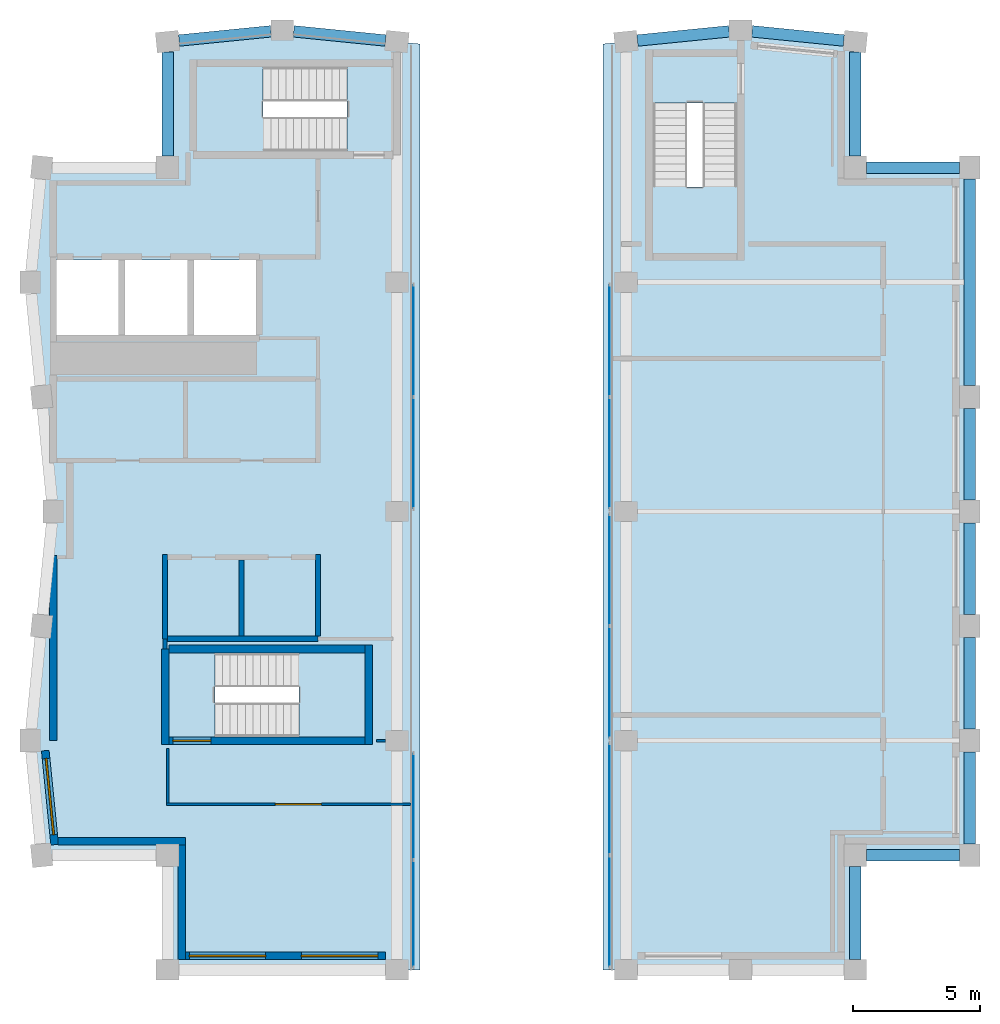
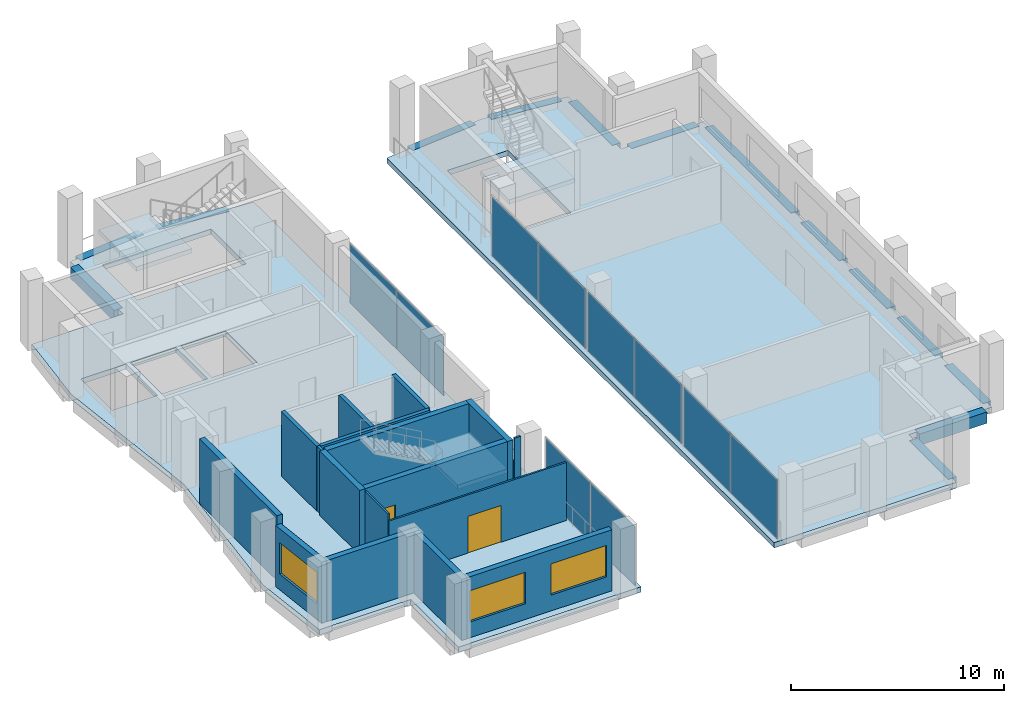
# One storey, part 6 of 9: 17 walls, 14 beams, 10 plates, 5 slabs, 3 windows, 2 doors, 5 openings, 8 elements without a shape of their own.
"""IFC4 building model written with IfcOpenShell, lengths in metres."""

import ifcopenshell
import ifcopenshell.guid

model = None  # the IFC model being written
_history = None  # IfcOwnerHistory: only IFC2X3 demands one
_inside = {}  # id of a spatial element -> (the spatial element, [elements in it])
_under = {}  # id of a project, library or spatial element -> (it, [spatial elements below it])
_declared = {}  # id of a project -> (the project, [libraries it declares])
_typed = {}  # id of a type object -> (the type object, [elements of that type])
_made_of = {}  # id of a material, layer set ... -> (it, [elements and type objects made of it])


def new_model(schema):
    """Start an empty IFC model of exactly this schema.

    Asked for "IFC4X3", IfcOpenShell would pick the latest addendum, in which some entities
    have other attributes; the version numbers below select the first issue.
    IFC2X3 requires an IfcOwnerHistory on every rooted entity: one is made here for all.
    """
    global model, _history
    if schema == "IFC4X3":
        model = ifcopenshell.file(schema_version=(4, 3, 0, 0))
    else:
        model = ifcopenshell.file(schema=schema)
    _inside.clear()
    _under.clear()
    _declared.clear()
    _typed.clear()
    _made_of.clear()
    _history = None
    if model.schema == "IFC2X3":
        org = make("IfcOrganization", Name="unknown")
        user = make(
            "IfcPersonAndOrganization",
            ThePerson=make("IfcPerson", FamilyName="unknown"),
            TheOrganization=org,
        )
        app = make(
            "IfcApplication",
            ApplicationDeveloper=org,
            Version="unknown",
            ApplicationFullName="unknown",
            ApplicationIdentifier="unknown",
        )
        _history = make(
            "IfcOwnerHistory",
            OwningUser=user,
            OwningApplication=app,
            ChangeAction="ADDED",
            CreationDate=0,
        )
    return model


def make(cls, **values):
    """One entity of the class cls with the attributes given. An attribute that is None is left unset."""
    return model.create_entity(
        cls, **{name: value for name, value in values.items() if value is not None}
    )


def rooted(cls, **values):
    """An entity with a GlobalId (a new one), such as an element, a storey or a relation."""
    return make(cls, GlobalId=ifcopenshell.guid.new(), OwnerHistory=_history, **values)


def si_unit(unit_type, name, prefix=None):
    """IfcSIUnit, for example si_unit("LENGTHUNIT", "METRE", prefix="MILLI")."""
    return make("IfcSIUnit", UnitType=unit_type, Prefix=prefix, Name=name)


def assignment(units):
    """IfcUnitAssignment: the units of a project."""
    return None if units is None else make("IfcUnitAssignment", Units=units)


def point(xyz):
    """IfcCartesianPoint."""
    return None if xyz is None else make("IfcCartesianPoint", Coordinates=xyz)


def direction(xyz):
    """IfcDirection."""
    return None if xyz is None else make("IfcDirection", DirectionRatios=xyz)


def frame(location, z_axis=None, x_axis=None):
    """IfcAxis2Placement3D, a coordinate frame: its origin and axes. An axis left out is left unset."""
    return make(
        "IfcAxis2Placement3D",
        Location=point(location),
        Axis=direction(z_axis),
        RefDirection=direction(x_axis),
    )


def frame_2d(location, x_axis=None):
    """IfcAxis2Placement2D, a coordinate frame in the plane: its origin and x axis."""
    return make(
        "IfcAxis2Placement2D", Location=point(location), RefDirection=direction(x_axis)
    )


def origin():
    """The frame at (0, 0, 0) with its axes left unset."""
    return frame((0.0, 0.0, 0.0))


def origin_2d():
    """The frame at (0, 0) in the plane with its x axis left unset."""
    return frame_2d((0.0, 0.0))


def place(relative_to, where):
    """IfcLocalPlacement: puts the frame where relative to a parent placement (None: the world)."""
    return make(
        "IfcLocalPlacement", PlacementRelTo=relative_to, RelativePlacement=where
    )


def context(
    kind, dimensions, precision=None, world=None, true_north=None, identifier=None
):
    """IfcGeometricRepresentationContext, for example the 3D "Model" context."""
    return make(
        "IfcGeometricRepresentationContext",
        ContextIdentifier=identifier,
        ContextType=kind,
        CoordinateSpaceDimension=dimensions,
        Precision=precision,
        WorldCoordinateSystem=world,
        TrueNorth=true_north,
    )


def subcontext(parent, identifier, kind, view, scale=None):
    """IfcGeometricRepresentationSubContext, for example "Body" below "Model"."""
    return make(
        "IfcGeometricRepresentationSubContext",
        ContextIdentifier=identifier,
        ContextType=kind,
        ParentContext=parent,
        TargetScale=scale,
        TargetView=view,
    )


def project(units=None, contexts=None):
    """IfcProject with its units and contexts."""
    return rooted(
        "IfcProject",
        Name="project",
        RepresentationContexts=contexts,
        UnitsInContext=assignment(units),
    )


def spatial(cls, under=None, at=None, **own):
    """A site, building, storey or space (cls), placed at a placement, below another one or the project."""
    s = rooted(cls, ObjectPlacement=at, **own)
    if under is not None:
        _under.setdefault(under.id(), (under, []))[1].append(s)
    return s


def polyline(points):
    """IfcPolyline through the points."""
    return make("IfcPolyline", Points=[point(p) for p in points])


def profile(cls, at=None, kind="AREA", **sizes):
    """A parametric profile (cls). Its sizes go by their IFC names, for example OverallWidth=200.0."""
    return make(cls, ProfileType=kind, Position=at, **sizes)


def rectangle(**sizes):
    """IfcRectangleProfileDef."""
    return profile("IfcRectangleProfileDef", **sizes)


def outline(outer, holes=None, kind="AREA"):
    """IfcArbitraryClosedProfileDef: a profile drawn as a closed curve; with holes, ...WithVoids."""
    if holes is None:
        return make("IfcArbitraryClosedProfileDef", ProfileType=kind, OuterCurve=outer)
    return make(
        "IfcArbitraryProfileDefWithVoids",
        ProfileType=kind,
        OuterCurve=outer,
        InnerCurves=holes,
    )


def extrude(swept, where, along, depth):
    """IfcExtrudedAreaSolid: the profile swept, set in the frame where, extruded along a direction by depth."""
    return make(
        "IfcExtrudedAreaSolid",
        SweptArea=swept,
        Position=where,
        ExtrudedDirection=direction(along),
        Depth=depth,
    )


def shape(context_of_items, identifier, shape_type, items):
    """IfcShapeRepresentation: the items that make up one representation, for example the "Body"."""
    return make(
        "IfcShapeRepresentation",
        ContextOfItems=context_of_items,
        RepresentationIdentifier=identifier,
        RepresentationType=shape_type,
        Items=items,
    )


def material(Name=None, Category=None):
    """IfcMaterial."""
    return make("IfcMaterial", Name=Name, Category=Category)


def layer(
    of_material, thickness, ventilated=None, Name=None, Category=None, Priority=None
):
    """IfcMaterialLayer: one layer of a wall or slab, of a material (None: an air gap)."""
    return make(
        "IfcMaterialLayer",
        Material=of_material,
        LayerThickness=thickness,
        IsVentilated=ventilated,
        Name=Name,
        Category=Category,
        Priority=Priority,
    )


def layer_set(layers, Name=None):
    """IfcMaterialLayerSet."""
    return make("IfcMaterialLayerSet", MaterialLayers=layers, LayerSetName=Name)


def material_profile(
    of_material, cross_section, Name=None, Category=None, Priority=None
):
    """IfcMaterialProfile: a cross section and its material."""
    return make(
        "IfcMaterialProfile",
        Name=Name,
        Material=of_material,
        Profile=cross_section,
        Priority=Priority,
        Category=Category,
    )


def profile_set(profiles, Name=None, composite=None):
    """IfcMaterialProfileSet."""
    return make(
        "IfcMaterialProfileSet",
        Name=Name,
        MaterialProfiles=profiles,
        CompositeProfile=composite,
    )


def made_of(thing, what):
    """Note that an element or type object is made of a material, layer set ...; save() writes the relation."""
    if what is not None:
        _made_of.setdefault(what.id(), (what, []))[1].append(thing)
    return thing


def type_object(cls, material=None, **own):
    """A type object (cls), such as IfcWallType, which elements share."""
    return made_of(rooted(cls, **own), material)


def element(
    cls,
    number,
    at=None,
    inside=None,
    cuts=None,
    type_object=None,
    material=None,
    context=None,
    identifier="Body",
    shape_type=None,
    held_by="IfcProductDefinitionShape",
    body=None,
    shapes=None,
    **own,
):
    """One element of the class cls, such as IfcWall. Its Tag is "e" and its number.

    at: its placement. inside: the storey or other place that contains it. cuts: it is an
    opening in that element (IfcRelVoidsElement). A single representation is given by context,
    identifier, shape_type and body (its items); several are given by shapes. held_by: the class
    of the entity that holds the representations. save() writes the other relations.
    """
    e = rooted(cls, Tag="e%d" % number, ObjectPlacement=at, **own)
    if body is not None:
        shapes = [shape(context, identifier, shape_type, body)]
    if shapes is not None:
        e.Representation = make(held_by, Representations=shapes)
    if inside is not None:
        _inside.setdefault(inside.id(), (inside, []))[1].append(e)
    if cuts is not None:
        rooted(
            "IfcRelVoidsElement", RelatingBuildingElement=cuts, RelatedOpeningElement=e
        )
    if type_object is not None:
        _typed.setdefault(type_object.id(), (type_object, []))[1].append(e)
    return made_of(e, material)


def fill(opening, filler):
    """IfcRelFillsElement: the door or window that sits in an opening."""
    return rooted(
        "IfcRelFillsElement",
        RelatingOpeningElement=opening,
        RelatedBuildingElement=filler,
    )


def aggregate(whole, parts):
    """IfcRelAggregates: a whole, such as a stair, and the parts it consists of."""
    return rooted("IfcRelAggregates", RelatingObject=whole, RelatedObjects=parts)


def save(model, path):
    """Write the relations noted so far, then the file.

    IfcRelAggregates (storeys below a building ...), IfcRelContainedInSpatialStructure (elements
    in a storey), IfcRelDefinesByType, IfcRelAssociatesMaterial and IfcRelDeclares: one each for
    every whole, place, type object, material and project.
    """
    for whole, parts in _under.values():
        aggregate(whole, parts)
    for where, things in _inside.values():
        rooted(
            "IfcRelContainedInSpatialStructure",
            RelatedElements=things,
            RelatingStructure=where,
        )
    for kind, things in _typed.values():
        rooted("IfcRelDefinesByType", RelatedObjects=things, RelatingType=kind)
    for what, things in _made_of.values():
        rooted("IfcRelAssociatesMaterial", RelatedObjects=things, RelatingMaterial=what)
    for by, libraries in _declared.values():
        rooted("IfcRelDeclares", RelatingContext=by, RelatedDefinitions=libraries)
    model.write(path)


model = new_model("IFC4")

# Units and contexts
model_context = context("Model", 3, precision=1e-05, world=origin(), true_north=direction((0.0, 1.0)))
body_context = subcontext(model_context, "Body", "Model", "MODEL_VIEW")
ifc_project = project(units=[si_unit("LENGTHUNIT", "METRE"), si_unit("AREAUNIT", "SQUARE_METRE"), si_unit("VOLUMEUNIT", "CUBIC_METRE"), si_unit("PLANEANGLEUNIT", "RADIAN"), si_unit("MASSUNIT", "GRAM", prefix="KILO")], contexts=[model_context])

# Site, building, storey
site_placement = place(None, origin())
site = spatial("IfcSite", under=ifc_project, at=site_placement, CompositionType="ELEMENT")
building_placement = place(site_placement, origin())
building = spatial("IfcBuilding", under=site, at=building_placement, Name="Brondeck Convention Tower", CompositionType="ELEMENT")
storey_placement = place(building_placement, frame((0.0, 0.0, 286.800048828125)))
storey = spatial("IfcBuildingStorey", under=building, at=storey_placement, Name="L71", CompositionType="ELEMENT", Elevation=286.800048828125)

# Beams
ifc_material_1 = material(Name="Concrete C50/60", Category="concrete")
ifc_material_profile = material_profile(ifc_material_1, rectangle(XDim=0.449951171875, YDim=0.64990234375, at=origin_2d()), Name="Precast spandrel 450x650 Concrete C50/60")
ifc_profile_set = profile_set([ifc_material_profile], Name="Concrete C50/60")
beam_type = type_object("IfcBeamType", Name="Precast spandrel 450x650 Concrete C50/60", PredefinedType="SPANDREL", material=ifc_profile_set)
for number, where, z_axis, x_axis, name in (
    (1, (13.05224609375, 63.494873046875, -0.324951171875), (-0.995040528141, 0.099470334057, 0.0), (-0.099470334057, -0.995040528141, 0.0), "STR-SP-L71K1-006"),
    (2, (8.550048828125, 63.85498046875, -0.324951171875), (-0.995040528141, -0.099470334057, 0.0), (0.099470334057, -0.995040528141, 0.0), "STR-SP-L71K1-007"),
):
    element("IfcBeam", number, at=place(storey_placement, frame(where, z_axis=z_axis, x_axis=x_axis)), inside=storey, type_object=beam_type, Name=name, PredefinedType="SPANDREL", context=body_context, shape_type="SweptSolid", body=[
        extrude(rectangle(XDim=0.449951171875, YDim=0.64990234375, at=origin_2d()), origin(), (0.0, 0.0, 1.0), 3.620361328125),
    ])
beam_1_placement = place(storey_placement, frame((4.5, 63.048095703125, -0.324951171875), z_axis=(0.0, -1.0, 0.0), x_axis=(1.0, 0.0, 0.0)))
element("IfcBeam", 3, at=beam_1_placement, inside=storey, type_object=beam_type, Name="STR-SP-L71K1-008", PredefinedType="SPANDREL", context=body_context, shape_type="SweptSolid", body=[
    extrude(rectangle(XDim=0.449951171875, YDim=0.64990234375, at=origin_2d()), origin(), (0.0, 0.0, 1.0), 4.09814453125),
])
for number, where, z_axis, x_axis, name in (
    (4, (31.5, 27.39990234375, -0.324951171875), (0.0, 1.0, 0.0), (-1.0, 0.0, 0.0), "STR-SP-L71K2-003"),
    (5, (31.949951171875, 31.5, -0.324951171875), (1.0, 0.0, 0.0), (0.0, 1.0, 0.0), "STR-SP-L71K2-004"),
):
    element("IfcBeam", number, at=place(storey_placement, frame(where, z_axis=z_axis, x_axis=x_axis)), inside=storey, type_object=beam_type, Name=name, PredefinedType="SPANDREL", context=body_context, shape_type="SweptSolid", body=[
        extrude(rectangle(XDim=0.449951171875, YDim=0.64990234375, at=origin_2d()), origin(), (0.0, 0.0, 1.0), 3.650146484375),
    ])
for number, where, z_axis, x_axis, name in (
    (6, (36.0, 31.949951171875, -0.324951171875), (0.0, 1.0, 0.0), (-1.0, 0.0, 0.0), "STR-SP-L71K2-005"),
    (7, (36.0, 36.449951171875, -0.324951171875), (0.0, 1.0, 0.0), (-1.0, 0.0, 0.0), "STR-SP-L71K2-006"),
    (8, (36.0, 40.949951171875, -0.324951171875), (0.0, 1.0, 0.0), (-1.0, 0.0, 0.0), "STR-SP-L71K2-007"),
    (9, (36.0, 45.449951171875, -0.324951171875), (0.0, 1.0, 0.0), (-1.0, 0.0, 0.0), "STR-SP-L71K2-008"),
):
    element("IfcBeam", number, at=place(storey_placement, frame(where, z_axis=z_axis, x_axis=x_axis)), inside=storey, type_object=beam_type, Name=name, PredefinedType="SPANDREL", context=body_context, shape_type="SweptSolid", body=[
        extrude(rectangle(XDim=0.449951171875, YDim=0.64990234375, at=origin_2d()), origin(), (0.0, 0.0, 1.0), 3.60009765625),
    ])
beam_2_placement = place(storey_placement, frame((36.0, 49.949951171875, -0.324951171875), z_axis=(0.0, 1.0, 0.0), x_axis=(-1.0, 0.0, 0.0)))
element("IfcBeam", 10, at=beam_2_placement, inside=storey, type_object=beam_type, Name="STR-SP-L71K2-009", PredefinedType="SPANDREL", context=body_context, shape_type="SweptSolid", body=[
    extrude(rectangle(XDim=0.449951171875, YDim=0.64990234375, at=origin_2d()), origin(), (0.0, 0.0, 1.0), 8.10009765625),
])
beam_3_placement = place(storey_placement, frame((35.60009765625, 58.5, -0.324951171875), z_axis=(-1.0, 0.0, 0.0), x_axis=(0.0, -1.0, 0.0)))
element("IfcBeam", 11, at=beam_3_placement, inside=storey, type_object=beam_type, Name="STR-SP-L71K2-010", PredefinedType="SPANDREL", context=body_context, shape_type="SweptSolid", body=[
    extrude(rectangle(XDim=0.449951171875, YDim=0.64990234375, at=origin_2d()), origin(), (0.0, 0.0, 1.0), 3.650146484375),
])
beam_4_placement = place(storey_placement, frame((31.5, 58.949951171875, -0.324951171875), z_axis=(0.0, 1.0, 0.0), x_axis=(-1.0, 0.0, 0.0)))
element("IfcBeam", 12, at=beam_4_placement, inside=storey, type_object=beam_type, Name="STR-SP-L71K2-011", PredefinedType="SPANDREL", context=body_context, shape_type="SweptSolid", body=[
    extrude(rectangle(XDim=0.449951171875, YDim=0.64990234375, at=origin_2d()), origin(), (0.0, 0.0, 1.0), 4.09814453125),
])
for number, where, z_axis, x_axis, name in (
    (13, (31.05224609375, 63.494873046875, -0.324951171875), (-0.995040528141, 0.099470334057, 0.0), (-0.099470334057, -0.995040528141, 0.0), "STR-SP-L71K2-012"),
    (14, (26.550048828125, 63.85498046875, -0.324951171875), (-0.995040528141, -0.099470334057, 0.0), (0.099470334057, -0.995040528141, 0.0), "STR-SP-L71K2-013"),
):
    element("IfcBeam", number, at=place(storey_placement, frame(where, z_axis=z_axis, x_axis=x_axis)), inside=storey, type_object=beam_type, Name=name, PredefinedType="SPANDREL", context=body_context, shape_type="SweptSolid", body=[
        extrude(rectangle(XDim=0.449951171875, YDim=0.64990234375, at=origin_2d()), origin(), (0.0, 0.0, 1.0), 3.620361328125),
    ])

# Curtain wall, plates
ifc_material_2 = material(Name="Aluminium, bronze anodised", Category="aluminium")
curtain_wall_type = type_object("IfcCurtainWallType", Name="Crown screen curtain wall", PredefinedType="NOTDEFINED", material=ifc_material_2)
curtain_wall_1_placement = place(storey_placement, origin())
curtain_wall_1 = element("IfcCurtainWall", 15, at=curtain_wall_1_placement, inside=storey, type_object=curtain_wall_type, Name="ENV-CW4-L71-K1-SLOT-W-00-2", PredefinedType="NOTDEFINED")
ifc_material_3 = material(Name="Bronze tinted laminated glass", Category="glass")
ifc_layer_1 = layer(ifc_material_3, 0.007080078125, Name="Outer pane")
ifc_material_4 = material(Name="Argon-filled cavity")
ifc_layer_2 = layer(ifc_material_4, 0.011962890625, Name="Cavity")
ifc_material_5 = material(Name="Clear low-emissivity glass", Category="glass")
ifc_layer_3 = layer(ifc_material_5, 0.007080078125, Name="Inner pane")
ifc_layer_set_1 = layer_set([ifc_layer_1, ifc_layer_2, ifc_layer_3], Name="CW4 glazing panel")
plate_type = type_object("IfcPlateType", Name="CW4 glazing panel", PredefinedType="CURTAIN_PANEL", material=ifc_layer_set_1)
plate_1_placement = place(storey_placement, frame((14.14990234375, 33.41259765625, 0.06005859375), z_axis=(0.0, 0.0, 1.0), x_axis=(0.0, -1.0, 0.0)))
plate_1 = element("IfcPlate", 16, at=plate_1_placement, type_object=plate_type, Name="CW4 panel 1.1", PredefinedType="CURTAIN_PANEL", context=body_context, shape_type="SweptSolid", body=[
    extrude(rectangle(XDim=4.155029296875, YDim=0.02587890625, at=origin_2d()), origin(), (0.0, 0.0, 1.0), 3.3798828125),
])
plate_2_placement = place(storey_placement, frame((14.14990234375, 29.197509765625, 0.06005859375), z_axis=(0.0, 0.0, 1.0), x_axis=(0.0, -1.0, 0.0)))
plate_2 = element("IfcPlate", 17, at=plate_2_placement, type_object=plate_type, Name="CW4 panel 2.1", PredefinedType="CURTAIN_PANEL", context=body_context, shape_type="SweptSolid", body=[
    extrude(rectangle(XDim=4.155029296875, YDim=0.02587890625, at=origin_2d()), origin(), (0.0, 0.0, 1.0), 3.3798828125),
])
aggregate(curtain_wall_1, [plate_1, plate_2])

curtain_wall_2_placement = place(storey_placement, origin())
curtain_wall_2 = element("IfcCurtainWall", 18, at=curtain_wall_2_placement, inside=storey, type_object=curtain_wall_type, Name="ENV-CW4-L71-K1-SLOT-W-05", PredefinedType="NOTDEFINED")
plate_3_placement = place(storey_placement, frame((14.14990234375, 51.705078125, 0.06005859375), z_axis=(0.0, 0.0, 1.0), x_axis=(0.0, -1.0, 0.0)))
plate_3 = element("IfcPlate", 19, at=plate_3_placement, type_object=plate_type, Name="CW4 panel 1.1", PredefinedType="CURTAIN_PANEL", context=body_context, shape_type="SweptSolid", body=[
    extrude(rectangle(XDim=4.35009765625, YDim=0.02587890625, at=origin_2d()), origin(), (0.0, 0.0, 1.0), 3.3798828125),
])
plate_4_placement = place(storey_placement, frame((14.14990234375, 47.294921875, 0.06005859375), z_axis=(0.0, 0.0, 1.0), x_axis=(0.0, -1.0, 0.0)))
plate_4 = element("IfcPlate", 20, at=plate_4_placement, type_object=plate_type, Name="CW4 panel 2.1", PredefinedType="CURTAIN_PANEL", context=body_context, shape_type="SweptSolid", body=[
    extrude(rectangle(XDim=4.35009765625, YDim=0.02587890625, at=origin_2d()), origin(), (0.0, 0.0, 1.0), 3.3798828125),
])
aggregate(curtain_wall_2, [plate_3, plate_4])

curtain_wall_3_placement = place(storey_placement, origin())
curtain_wall_3 = element("IfcCurtainWall", 21, at=curtain_wall_3_placement, inside=storey, type_object=curtain_wall_type, Name="ENV-CW4-L71-K2-SLOT-E-03", PredefinedType="NOTDEFINED")
plate_5_placement = place(storey_placement, frame((21.85009765625, 47.294921875, 0.06005859375), z_axis=(0.0, 0.0, 1.0), x_axis=(0.0, 1.0, 0.0)))
plate_5 = element("IfcPlate", 22, at=plate_5_placement, type_object=plate_type, Name="CW4 panel 1.1", PredefinedType="CURTAIN_PANEL", context=body_context, shape_type="SweptSolid", body=[
    extrude(rectangle(XDim=4.35009765625, YDim=0.02587890625, at=origin_2d()), origin(), (0.0, 0.0, 1.0), 3.3798828125),
])
plate_6_placement = place(storey_placement, frame((21.85009765625, 51.705078125, 0.06005859375), z_axis=(0.0, 0.0, 1.0), x_axis=(0.0, 1.0, 0.0)))
plate_6 = element("IfcPlate", 23, at=plate_6_placement, type_object=plate_type, Name="CW4 panel 2.1", PredefinedType="CURTAIN_PANEL", context=body_context, shape_type="SweptSolid", body=[
    extrude(rectangle(XDim=4.35009765625, YDim=0.02587890625, at=origin_2d()), origin(), (0.0, 0.0, 1.0), 3.3798828125),
])
aggregate(curtain_wall_3, [plate_5, plate_6])

curtain_wall_4_placement = place(storey_placement, origin())
curtain_wall_4 = element("IfcCurtainWall", 24, at=curtain_wall_4_placement, inside=storey, type_object=curtain_wall_type, Name="ENV-CW4-L71-K2-SLOT-E-05", PredefinedType="NOTDEFINED")
plate_7_placement = place(storey_placement, frame((21.85009765625, 38.294921875, 0.06005859375), z_axis=(0.0, 0.0, 1.0), x_axis=(0.0, 1.0, 0.0)))
plate_7 = element("IfcPlate", 25, at=plate_7_placement, type_object=plate_type, Name="CW4 panel 1.1", PredefinedType="CURTAIN_PANEL", context=body_context, shape_type="SweptSolid", body=[
    extrude(rectangle(XDim=4.35009765625, YDim=0.02587890625, at=origin_2d()), origin(), (0.0, 0.0, 1.0), 3.3798828125),
])
plate_8_placement = place(storey_placement, frame((21.85009765625, 42.705078125, 0.06005859375), z_axis=(0.0, 0.0, 1.0), x_axis=(0.0, 1.0, 0.0)))
plate_8 = element("IfcPlate", 26, at=plate_8_placement, type_object=plate_type, Name="CW4 panel 2.1", PredefinedType="CURTAIN_PANEL", context=body_context, shape_type="SweptSolid", body=[
    extrude(rectangle(XDim=4.35009765625, YDim=0.02587890625, at=origin_2d()), origin(), (0.0, 0.0, 1.0), 3.3798828125),
])
aggregate(curtain_wall_4, [plate_7, plate_8])

curtain_wall_5_placement = place(storey_placement, origin())
curtain_wall_5 = element("IfcCurtainWall", 27, at=curtain_wall_5_placement, inside=storey, type_object=curtain_wall_type, Name="ENV-CW4-L71-K2-SLOT-E-07-1", PredefinedType="NOTDEFINED")
plate_9_placement = place(storey_placement, frame((21.85009765625, 29.294921875, 0.06005859375), z_axis=(0.0, 0.0, 1.0), x_axis=(0.0, 1.0, 0.0)))
plate_9 = element("IfcPlate", 28, at=plate_9_placement, type_object=plate_type, Name="CW4 panel 1.1", PredefinedType="CURTAIN_PANEL", context=body_context, shape_type="SweptSolid", body=[
    extrude(rectangle(XDim=4.35009765625, YDim=0.02587890625, at=origin_2d()), origin(), (0.0, 0.0, 1.0), 3.3798828125),
])
plate_10_placement = place(storey_placement, frame((21.85009765625, 33.705078125, 0.06005859375), z_axis=(0.0, 0.0, 1.0), x_axis=(0.0, 1.0, 0.0)))
plate_10 = element("IfcPlate", 29, at=plate_10_placement, type_object=plate_type, Name="CW4 panel 2.1", PredefinedType="CURTAIN_PANEL", context=body_context, shape_type="SweptSolid", body=[
    extrude(rectangle(XDim=4.35009765625, YDim=0.02587890625, at=origin_2d()), origin(), (0.0, 0.0, 1.0), 3.3798828125),
])
aggregate(curtain_wall_5, [plate_9, plate_10])

# Slabs
ifc_material_6 = material(Name="Concrete C35/45", Category="concrete")
ifc_layer_4 = layer(ifc_material_6, 0.300048828125)
ifc_layer_set_2 = layer_set([ifc_layer_4], Name="Composite floor slab 300")
slab_type_1 = type_object("IfcSlabType", Name="Composite floor slab 300", PredefinedType="FLOOR", material=ifc_layer_set_2)
slab_1_placement = place(storey_placement, frame((0.0, 0.0, -0.300048828125)))
element("IfcSlab", 30, at=slab_1_placement, inside=storey, type_object=slab_type_1, Name="STR-SL-L71-P1", PredefinedType="FLOOR", context=body_context, shape_type="SweptSolid", body=[
    extrude(outline(polyline([(4.5, 31.5), (-0.449951171875, 31.5), (-0.89990234375, 36.0), (0.0, 45.0), (-0.89990234375, 54.0), (-0.449951171875, 58.5), (4.5, 58.5), (4.5, 63.449951171875), (9.0, 63.89990234375), (14.39990234375, 63.360107421875), (14.39990234375, 63.0), (14.39990234375, 27.0), (4.5, 27.0), (4.5, 31.5)]), holes=[polyline([(6.35205078125, 39.447998046875), (6.35205078125, 36.152099609375), (12.248046875, 36.152099609375), (12.248046875, 39.447998046875), (6.35205078125, 39.447998046875)]), polyline([(2.574951171875, 54.875), (0.125, 54.875), (0.125, 51.925048828125), (2.574951171875, 51.925048828125), (2.574951171875, 54.875)]), polyline([(5.27490234375, 54.875), (2.824951171875, 54.875), (2.824951171875, 51.925048828125), (5.27490234375, 51.925048828125), (5.27490234375, 54.875)]), polyline([(5.52490234375, 54.875), (5.52490234375, 51.925048828125), (7.97509765625, 51.925048828125), (7.97509765625, 54.875), (5.52490234375, 54.875)]), polyline([(5.652099609375, 59.152099609375), (11.548095703125, 59.152099609375), (11.548095703125, 62.447998046875), (5.652099609375, 62.447998046875), (5.652099609375, 59.152099609375)])]), origin(), (0.0, 0.0, 1.0), 0.300048828125),
])
slab_2_placement = place(storey_placement, frame((0.0, 0.0, -0.300048828125)))
element("IfcSlab", 31, at=slab_2_placement, inside=storey, type_object=slab_type_1, Name="STR-SL-L71-P2", PredefinedType="FLOOR", context=body_context, shape_type="SweptSolid", body=[
    extrude(outline(polyline([(21.60009765625, 63.0), (21.60009765625, 63.360107421875), (27.0, 63.89990234375), (31.5, 63.449951171875), (31.5, 58.5), (36.0, 58.5), (36.0, 31.5), (31.5, 31.5), (31.5, 27.0), (21.60009765625, 27.0), (21.60009765625, 63.0)]), holes=[polyline([(26.847900390625, 55.152099609375), (26.847900390625, 61.048095703125), (23.552001953125, 61.048095703125), (23.552001953125, 55.152099609375), (26.847900390625, 55.152099609375)])]), origin(), (0.0, 0.0, 1.0), 0.300048828125),
])

# Stair, slab
ifc_material_7 = material(Name="Precast concrete C50/60", Category="concrete")
stair_type = type_object("IfcStairType", Name="Core stair 24 risers 166.67 mm riser 300 mm going 1350 wide", PredefinedType="HALF_TURN_STAIR", material=ifc_material_7)
stair_1_placement = place(storey_placement, origin())
stair_1 = element("IfcStair", 32, at=stair_1_placement, inside=storey, type_object=stair_type, Name="ST-1 L71 stair", PredefinedType="HALF_TURN_STAIR")
ifc_layer_5 = layer(ifc_material_7, 0.25)
ifc_layer_set_3 = layer_set([ifc_layer_5], Name="Core stair landing 250 Precast concrete C50/60")
slab_type_2 = type_object("IfcSlabType", Name="Core stair landing 250 Precast concrete C50/60", PredefinedType="LANDING", material=ifc_layer_set_3)
slab_3_placement = place(storey_placement, frame((0.0, 0.0, 1.75)))
slab_3 = element("IfcSlab", 33, at=slab_3_placement, type_object=slab_type_2, Name="ST-1 landing 1", PredefinedType="LANDING", context=body_context, shape_type="SweptSolid", body=[
    extrude(outline(polyline([(9.64794921875, 37.5), (9.64990234375, 37.5), (9.64990234375, 38.10009765625), (9.35009765625, 38.10009765625), (9.35009765625, 39.570068359375), (12.3701171875, 39.570068359375), (12.3701171875, 36.030029296875), (9.64794921875, 36.030029296875), (9.64794921875, 37.5)])), origin(), (0.0, 0.0, 1.0), 0.25),
])
aggregate(stair_1, [slab_3])

stair_2_placement = place(storey_placement, origin())
stair_2 = element("IfcStair", 34, at=stair_2_placement, inside=storey, type_object=stair_type, Name="ST-2 L71 stair", PredefinedType="HALF_TURN_STAIR")
slab_4_placement = place(storey_placement, frame((0.0, 0.0, 1.75)))
slab_4 = element("IfcSlab", 35, at=slab_4_placement, type_object=slab_type_2, Name="ST-2 landing 1", PredefinedType="LANDING", context=body_context, shape_type="SweptSolid", body=[
    extrude(outline(polyline([(23.429931640625, 57.751953125), (24.89990234375, 57.751953125), (24.89990234375, 57.75), (25.5, 57.75), (25.5, 58.050048828125), (26.969970703125, 58.050048828125), (26.969970703125, 55.030029296875), (23.429931640625, 55.030029296875), (23.429931640625, 57.751953125)])), origin(), (0.0, 0.0, 1.0), 0.25),
])
aggregate(stair_2, [slab_4])

stair_3_placement = place(storey_placement, origin())
stair_3 = element("IfcStair", 36, at=stair_3_placement, inside=storey, type_object=stair_type, Name="ST-3 L71 stair", PredefinedType="HALF_TURN_STAIR")
slab_5_placement = place(storey_placement, frame((0.0, 0.0, 1.75)))
slab_5 = element("IfcSlab", 37, at=slab_5_placement, type_object=slab_type_2, Name="ST-3 landing 1", PredefinedType="LANDING", context=body_context, shape_type="SweptSolid", body=[
    extrude(outline(polyline([(8.550048828125, 60.5), (8.550048828125, 59.030029296875), (5.530029296875, 59.030029296875), (5.530029296875, 62.570068359375), (8.251953125, 62.570068359375), (8.251953125, 61.10009765625), (8.25, 61.10009765625), (8.25, 60.5), (8.550048828125, 60.5)])), origin(), (0.0, 0.0, 1.0), 0.25),
])
aggregate(stair_3, [slab_5])

# Walls
ifc_layer_6 = layer(ifc_material_1, 0.300048828125)
ifc_layer_set_4 = layer_set([ifc_layer_6], Name="Core outer wall 300 Concrete C50/60")
wall_type_1 = type_object("IfcWallType", Name="Core outer wall 300 Concrete C50/60", PredefinedType="SHEAR", material=ifc_layer_set_4)
wall_1_placement = place(storey_placement, frame((0.0, 36.0, 0.0), z_axis=(0.0, 0.0, 1.0), x_axis=(0.0, 1.0, 0.0)))
element("IfcWall", 38, at=wall_1_placement, inside=storey, type_object=wall_type_1, Name="L71 core wall", PredefinedType="SHEAR", context=body_context, shape_type="SweptSolid", body=[
    extrude(rectangle(XDim=7.27490234375, YDim=0.300048828125, at=frame_2d((3.637451171875, 0.0))), origin(), (0.0, 0.0, 1.0), 3.699951171875),
])
ifc_material_8 = material(Name="Fire-rated gypsum board partition")
ifc_layer_7 = layer(ifc_material_8, 0.14990234375)
ifc_layer_set_5 = layer_set([ifc_layer_7], Name="Core partition 150 EI 60")
wall_type_2 = type_object("IfcWallType", Name="Core partition 150 EI 60", PredefinedType="PARTITIONING", material=ifc_layer_set_5)
wall_2_placement = place(storey_placement, frame((4.39990234375, 39.60009765625, 0.0), z_axis=(0.0, 0.0, 1.0), x_axis=(0.0, 1.0, 0.0)))
element("IfcWall", 39, at=wall_2_placement, inside=storey, type_object=wall_type_2, Name="L71 core wall", PredefinedType="PARTITIONING", context=body_context, shape_type="SweptSolid", body=[
    extrude(rectangle(XDim=0.39990234375, YDim=0.14990234375, at=frame_2d((0.199951171875, 0.0))), origin(), (0.0, 0.0, 1.0), 3.699951171875),
])

# Wall, openings, windows
ifc_material_9 = material(Name="Precast concrete C50/60 bronze finish", Category="concrete")
ifc_layer_8 = layer(ifc_material_9, 0.070068359375, Name="Bronze precast facing")
ifc_material_10 = material(Name="Mineral wool")
ifc_layer_9 = layer(ifc_material_10, 0.159912109375, Name="Insulation")
ifc_layer_10 = layer(ifc_material_6, 0.070068359375, Name="Backing")
ifc_layer_set_6 = layer_set([ifc_layer_8, ifc_layer_9, ifc_layer_10], Name="External infill wall, precast concrete C50/60 bronze facing")
wall_type_3 = type_object("IfcWallType", Name="External infill wall, precast concrete C50/60 bronze facing", PredefinedType="SOLIDWALL", material=ifc_layer_set_6)
wall_3_placement = place(storey_placement, frame((13.050048828125, 27.550048828125, 0.0), z_axis=(0.0, 0.0, 1.0), x_axis=(-1.0, 0.0, 0.0)))
wall_3 = element("IfcWall", 40, at=wall_3_placement, inside=storey, type_object=wall_type_3, Name="ENV-EW-L71-K1-K-S-01", PredefinedType="SOLIDWALL", context=body_context, shape_type="SweptSolid", body=[
    extrude(rectangle(XDim=7.85009765625, YDim=0.300048828125, at=frame_2d((3.925048828125, 0.0))), origin(), (0.0, 0.0, 1.0), 3.5),
])
opening_1_placement = place(wall_3_placement, frame((0.300048828125, 0.0, 0.89990234375)))
opening_1 = element("IfcOpeningElement", 41, at=opening_1_placement, cuts=wall_3, Name="Opening W8", PredefinedType="OPENING", context=body_context, shape_type="SweptSolid", body=[
    extrude(rectangle(XDim=3.0, YDim=1.800048828125, at=frame_2d((1.5, 0.89990234375))), frame((0.0, 0.159912109375, 0.0), z_axis=(0.0, -1.0, 0.0), x_axis=(1.0, 0.0, 0.0)), (0.0, 0.0, 1.0), 0.320068359375),
])
opening_2_placement = place(wall_3_placement, frame((4.699951171875, 0.0, 0.89990234375)))
opening_2 = element("IfcOpeningElement", 42, at=opening_2_placement, cuts=wall_3, Name="Opening W8", PredefinedType="OPENING", context=body_context, shape_type="SweptSolid", body=[
    extrude(rectangle(XDim=3.0, YDim=1.800048828125, at=frame_2d((1.5, 0.89990234375))), frame((0.0, 0.159912109375, 0.0), z_axis=(0.0, -1.0, 0.0), x_axis=(1.0, 0.0, 0.0)), (0.0, 0.0, 1.0), 0.320068359375),
])
ifc_material_11 = material(Name="Bronze tinted double glazing", Category="glass")
window_type = type_object("IfcWindowType", Name="Crown plant storey window, bronze tinted", PartitioningType="SINGLE_PANEL", PredefinedType="WINDOW", material=ifc_material_11)
window_1_placement = place(opening_1_placement, origin())
window_1 = element("IfcWindow", 43, at=window_1_placement, inside=storey, type_object=window_type, Name="ENV-WN-L71-K1-K-S-02", OverallHeight=1.800048828125, OverallWidth=3.0, PartitioningType="SINGLE_PANEL", PredefinedType="WINDOW", context=body_context, shape_type="SweptSolid", body=[
    extrude(rectangle(XDim=3.0, YDim=1.800048828125, at=frame_2d((1.5, 0.89990234375))), frame((0.0, 0.030029296875, 0.0), z_axis=(0.0, -1.0, 0.0), x_axis=(1.0, 0.0, 0.0)), (0.0, 0.0, 1.0), 0.06005859375),
])
fill(opening_1, window_1)
window_2_placement = place(opening_2_placement, origin())
window_2 = element("IfcWindow", 44, at=window_2_placement, inside=storey, type_object=window_type, Name="ENV-WN-L71-K1-K-S-01", OverallHeight=1.800048828125, OverallWidth=3.0, PartitioningType="SINGLE_PANEL", PredefinedType="WINDOW", context=body_context, shape_type="SweptSolid", body=[
    extrude(rectangle(XDim=3.0, YDim=1.800048828125, at=frame_2d((1.5, 0.89990234375))), frame((0.0, 0.030029296875, 0.0), z_axis=(0.0, -1.0, 0.0), x_axis=(1.0, 0.0, 0.0)), (0.0, 0.0, 1.0), 0.06005859375),
])
fill(opening_2, window_2)

# Wall, opening, window
wall_4_placement = place(storey_placement, frame((0.061279296875, 31.914794921875, 0.0), z_axis=(0.0, 0.0, 1.0), x_axis=(-0.099549320092, 0.995032629048, 0.0)))
wall_4 = element("IfcWall", 45, at=wall_4_placement, inside=storey, type_object=wall_type_3, Name="ENV-EW-L71-K1-B-W-06", PredefinedType="SOLIDWALL", context=body_context, shape_type="SweptSolid", body=[
    extrude(rectangle(XDim=3.71044921875, YDim=0.300048828125, at=frame_2d((1.855224609375, 0.0))), origin(), (0.0, 0.0, 1.0), 3.5),
])
opening_3_placement = place(wall_4_placement, frame((0.3994140625, 0.0, 0.89990234375)))
opening_3 = element("IfcOpeningElement", 46, at=opening_3_placement, cuts=wall_4, Name="Opening W8", PredefinedType="OPENING", context=body_context, shape_type="SweptSolid", body=[
    extrude(rectangle(XDim=3.0, YDim=1.800048828125, at=frame_2d((1.5, 0.89990234375))), frame((0.0, 0.159912109375, 0.0), z_axis=(0.0, -1.0, 0.0), x_axis=(1.0, 0.0, 0.0)), (0.0, 0.0, 1.0), 0.320068359375),
])
window_3_placement = place(opening_3_placement, origin())
window_3 = element("IfcWindow", 47, at=window_3_placement, inside=storey, type_object=window_type, Name="ENV-WN-L71-K1-B-W-06", OverallHeight=1.800048828125, OverallWidth=3.0, PartitioningType="SINGLE_PANEL", PredefinedType="WINDOW", context=body_context, shape_type="SweptSolid", body=[
    extrude(rectangle(XDim=3.0, YDim=1.800048828125, at=frame_2d((1.5, 0.89990234375))), frame((0.0, 0.030029296875, 0.0), z_axis=(0.0, -1.0, 0.0), x_axis=(1.0, 0.0, 0.0)), (0.0, 0.0, 1.0), 0.06005859375),
])
fill(opening_3, window_3)

# Walls
wall_5_placement = place(storey_placement, frame((5.199951171875, 32.050048828125, 0.0), z_axis=(0.0, 0.0, 1.0), x_axis=(-1.0, 0.0, 0.0)))
element("IfcWall", 48, at=wall_5_placement, inside=storey, type_object=wall_type_3, Name="ENV-EW-L71-K1-NC-KSW-01", PredefinedType="SOLIDWALL", context=body_context, shape_type="SweptSolid", body=[
    extrude(rectangle(XDim=5.000244140625, YDim=0.300048828125, at=frame_2d((2.5, 0.0))), origin(), (0.0, 0.0, 1.0), 3.5),
])
wall_6_placement = place(storey_placement, frame((5.050048828125, 27.39990234375, 0.0), z_axis=(0.0, 0.0, 1.0), x_axis=(0.0, 1.0, 0.0)))
element("IfcWall", 49, at=wall_6_placement, inside=storey, type_object=wall_type_3, Name="ENV-EW-L71-K1-NC-KSW-02", PredefinedType="SOLIDWALL", context=body_context, shape_type="SweptSolid", body=[
    extrude(rectangle(XDim=4.502197265625, YDim=0.300048828125, at=frame_2d((2.2509765625, 0.0))), origin(), (0.0, 0.0, 1.0), 3.5),
])
ifc_layer_11 = layer(ifc_material_8, 0.199951171875)
ifc_layer_set_7 = layer_set([ifc_layer_11], Name="Plant room wall 200 EI 120")
wall_type_4 = type_object("IfcWallType", Name="Plant room wall 200 EI 120", PredefinedType="PARTITIONING", material=ifc_layer_set_7)
wall_7_placement = place(storey_placement, frame((4.5, 40.0, 0.0), z_axis=(0.0, 0.0, 1.0), x_axis=(1.0, 0.0, 0.0)))
element("IfcWall", 50, at=wall_7_placement, inside=storey, type_object=wall_type_4, Name="L71 core wall", PredefinedType="PARTITIONING", context=body_context, shape_type="SweptSolid", body=[
    extrude(rectangle(XDim=5.89990234375, YDim=0.199951171875, at=frame_2d((2.949951171875, 0.0))), origin(), (0.0, 0.0, 1.0), 3.699951171875),
])
wall_8_placement = place(storey_placement, frame((4.39990234375, 40.0, 0.0), z_axis=(0.0, 0.0, 1.0), x_axis=(0.0, 1.0, 0.0)))
element("IfcWall", 51, at=wall_8_placement, inside=storey, type_object=wall_type_4, Name="L71 core wall", PredefinedType="PARTITIONING", context=body_context, shape_type="SweptSolid", body=[
    extrude(rectangle(XDim=3.300048828125, YDim=0.199951171875, at=frame_2d((1.64990234375, 0.0))), origin(), (0.0, 0.0, 1.0), 3.699951171875),
])
wall_9_placement = place(storey_placement, frame((7.39990234375, 40.10009765625, 0.0), z_axis=(0.0, 0.0, 1.0), x_axis=(0.0, 1.0, 0.0)))
element("IfcWall", 52, at=wall_9_placement, inside=storey, type_object=wall_type_4, Name="L71 core wall", PredefinedType="PARTITIONING", context=body_context, shape_type="SweptSolid", body=[
    extrude(rectangle(XDim=3.0, YDim=0.199951171875, at=frame_2d((1.5, 0.0))), origin(), (0.0, 0.0, 1.0), 3.699951171875),
])
wall_10_placement = place(storey_placement, frame((10.39990234375, 40.10009765625, 0.0), z_axis=(0.0, 0.0, 1.0), x_axis=(0.0, 1.0, 0.0)))
element("IfcWall", 53, at=wall_10_placement, inside=storey, type_object=wall_type_4, Name="L71 core wall", PredefinedType="PARTITIONING", context=body_context, shape_type="SweptSolid", body=[
    extrude(rectangle(XDim=3.199951171875, YDim=0.199951171875, at=frame_2d((1.60009765625, 0.0))), origin(), (0.0, 0.0, 1.0), 3.699951171875),
])

# Wall, opening, door
ifc_material_12 = material(Name="Gypsum board partition on steel studs", Category="steel")
ifc_layer_12 = layer(ifc_material_12, 0.10009765625)
ifc_layer_set_8 = layer_set([ifc_layer_12], Name="Room partition 100")
wall_type_5 = type_object("IfcWallType", Name="Room partition 100", PredefinedType="PARTITIONING", material=ifc_layer_set_8)
wall_11_placement = place(storey_placement, frame((14.06005859375, 33.5, 0.0), z_axis=(0.0, 0.0, 1.0), x_axis=(-1.0, 0.0, 0.0)))
wall_11 = element("IfcWall", 54, at=wall_11_placement, inside=storey, type_object=wall_type_5, Name="FLR-L71-W005", PredefinedType="PARTITIONING", context=body_context, shape_type="SweptSolid", body=[
    extrude(rectangle(XDim=9.610107421875, YDim=0.10009765625, at=frame_2d((4.80517578125, 0.0))), origin(), (0.0, 0.0, 1.0), 3.329833984375),
])
opening_4_placement = place(wall_11_placement, frame((3.529541015625, 0.0, 0.0)))
opening_4 = element("IfcOpeningElement", 55, at=opening_4_placement, cuts=wall_11, Name="Opening CR-A2-001", PredefinedType="OPENING", context=body_context, shape_type="SweptSolid", body=[
    extrude(rectangle(XDim=1.800048828125, YDim=2.10009765625, at=frame_2d((0.89990234375, 1.050048828125))), frame((0.0, 0.06005859375, 0.0), z_axis=(0.0, -1.0, 0.0), x_axis=(1.0, 0.0, 0.0)), (0.0, 0.0, 1.0), 0.1201171875),
])
ifc_material_13 = material(Name="Glazed timber double door", Category="wood")
door_type_1 = type_object("IfcDoorType", Name="Double door 1800", OperationType="DOUBLE_DOOR_SINGLE_SWING", PredefinedType="DOOR", material=ifc_material_13)
door_1_placement = place(opening_4_placement, origin())
door_1 = element("IfcDoor", 56, at=door_1_placement, inside=storey, type_object=door_type_1, Name="Door CR-A2-001", OperationType="DOUBLE_DOOR_SINGLE_SWING", OverallHeight=2.10009765625, OverallWidth=1.800048828125, PredefinedType="DOOR", context=body_context, shape_type="SweptSolid", body=[
    extrude(rectangle(XDim=1.800048828125, YDim=2.10009765625, at=frame_2d((0.89990234375, 1.050048828125))), frame((0.0, 0.02490234375, 0.0), z_axis=(0.0, -1.0, 0.0), x_axis=(1.0, 0.0, 0.0)), (0.0, 0.0, 1.0), 0.050048828125),
])
fill(opening_4, door_1)

# Walls
wall_12_placement = place(storey_placement, frame((4.5, 33.550048828125, 0.0), z_axis=(0.0, 0.0, 1.0), x_axis=(0.0, 1.0, 0.0)))
element("IfcWall", 57, at=wall_12_placement, inside=storey, type_object=wall_type_5, Name="FLR-L71-W006", PredefinedType="PARTITIONING", context=body_context, shape_type="SweptSolid", body=[
    extrude(rectangle(XDim=2.14990234375, YDim=0.10009765625, at=frame_2d((1.074951171875, 0.0))), origin(), (0.0, 0.0, 1.0), 3.679931640625),
])
wall_13_placement = place(storey_placement, frame((12.699951171875, 36.0, 0.0), z_axis=(0.0, 0.0, 1.0), x_axis=(1.0, 0.0, 0.0)))
element("IfcWall", 58, at=wall_13_placement, inside=storey, type_object=wall_type_5, Name="FLR-L71-W007", PredefinedType="PARTITIONING", context=body_context, shape_type="SweptSolid", body=[
    extrude(rectangle(XDim=0.344970703125, YDim=0.10009765625, at=frame_2d((0.17236328125, 0.0))), origin(), (0.0, 0.0, 1.0), 3.679931640625),
])

# Wall, opening, door
ifc_layer_13 = layer(ifc_material_1, 0.300048828125)
ifc_layer_set_9 = layer_set([ifc_layer_13], Name="Stair enclosure wall 300 Concrete C50/60")
wall_type_6 = type_object("IfcWallType", Name="Stair enclosure wall 300 Concrete C50/60", PredefinedType="SHEAR", material=ifc_layer_set_9)
wall_14_placement = place(storey_placement, frame((4.550048828125, 36.0, 0.0), z_axis=(0.0, 0.0, 1.0), x_axis=(1.0, 0.0, 0.0)))
wall_14 = element("IfcWall", 59, at=wall_14_placement, inside=storey, type_object=wall_type_6, Name="L71 core wall", PredefinedType="SHEAR", context=body_context, shape_type="SweptSolid", body=[
    extrude(rectangle(XDim=7.699951171875, YDim=0.300048828125, at=frame_2d((3.85009765625, 0.0))), origin(), (0.0, 0.0, 1.0), 3.699951171875),
])
opening_5_placement = place(wall_14_placement, frame((0.14990234375, 0.0, 0.0)))
opening_5 = element("IfcOpeningElement", 60, at=opening_5_placement, cuts=wall_14, Name="Opening C41-06", PredefinedType="OPENING", context=body_context, shape_type="SweptSolid", body=[
    extrude(rectangle(XDim=1.5, YDim=2.199951171875, at=frame_2d((0.75, 1.10009765625))), frame((0.0, 0.159912109375, 0.0), z_axis=(0.0, -1.0, 0.0), x_axis=(1.0, 0.0, 0.0)), (0.0, 0.0, 1.0), 0.320068359375),
])
ifc_material_14 = material(Name="Steel fire door", Category="steel")
door_type_2 = type_object("IfcDoorType", Name="Stair door 1500x2200 EI 90", OperationType="NOTDEFINED", PredefinedType="DOOR", material=ifc_material_14)
door_2_placement = place(opening_5_placement, origin())
door_2 = element("IfcDoor", 61, at=door_2_placement, inside=storey, type_object=door_type_2, Name="L71 Stair door ST-1", OperationType="SINGLE_SWING_RIGHT", OverallHeight=2.199951171875, OverallWidth=1.5, PredefinedType="DOOR", context=body_context, shape_type="SweptSolid", body=[
    extrude(rectangle(XDim=1.5, YDim=2.199951171875, at=frame_2d((0.75, 1.10009765625))), frame((0.0, 0.02490234375, 0.0), z_axis=(0.0, -1.0, 0.0), x_axis=(1.0, 0.0, 0.0)), (0.0, 0.0, 1.0), 0.050048828125),
])
fill(opening_5, door_2)

# Walls
wall_15_placement = place(storey_placement, frame((4.550048828125, 39.60009765625, 0.0), z_axis=(0.0, 0.0, 1.0), x_axis=(1.0, 0.0, 0.0)))
element("IfcWall", 62, at=wall_15_placement, inside=storey, type_object=wall_type_6, Name="L71 core wall", PredefinedType="SHEAR", context=body_context, shape_type="SweptSolid", body=[
    extrude(rectangle(XDim=7.699951171875, YDim=0.300048828125, at=frame_2d((3.85009765625, 0.0))), origin(), (0.0, 0.0, 1.0), 3.699951171875),
])
wall_16_placement = place(storey_placement, frame((4.39990234375, 35.85009765625, 0.0), z_axis=(0.0, 0.0, 1.0), x_axis=(0.0, 1.0, 0.0)))
element("IfcWall", 63, at=wall_16_placement, inside=storey, type_object=wall_type_6, Name="L71 core wall", PredefinedType="SHEAR", context=body_context, shape_type="SweptSolid", body=[
    extrude(rectangle(XDim=3.75, YDim=0.300048828125, at=frame_2d((1.875, 0.0))), origin(), (0.0, 0.0, 1.0), 3.699951171875),
])
wall_17_placement = place(storey_placement, frame((12.39990234375, 35.85009765625, 0.0), z_axis=(0.0, 0.0, 1.0), x_axis=(0.0, 1.0, 0.0)))
element("IfcWall", 64, at=wall_17_placement, inside=storey, type_object=wall_type_6, Name="L71 core wall", PredefinedType="SHEAR", context=body_context, shape_type="SweptSolid", body=[
    extrude(rectangle(XDim=3.89990234375, YDim=0.300048828125, at=frame_2d((1.949951171875, 0.0))), origin(), (0.0, 0.0, 1.0), 3.699951171875),
])

save(model, "model.ifc")
